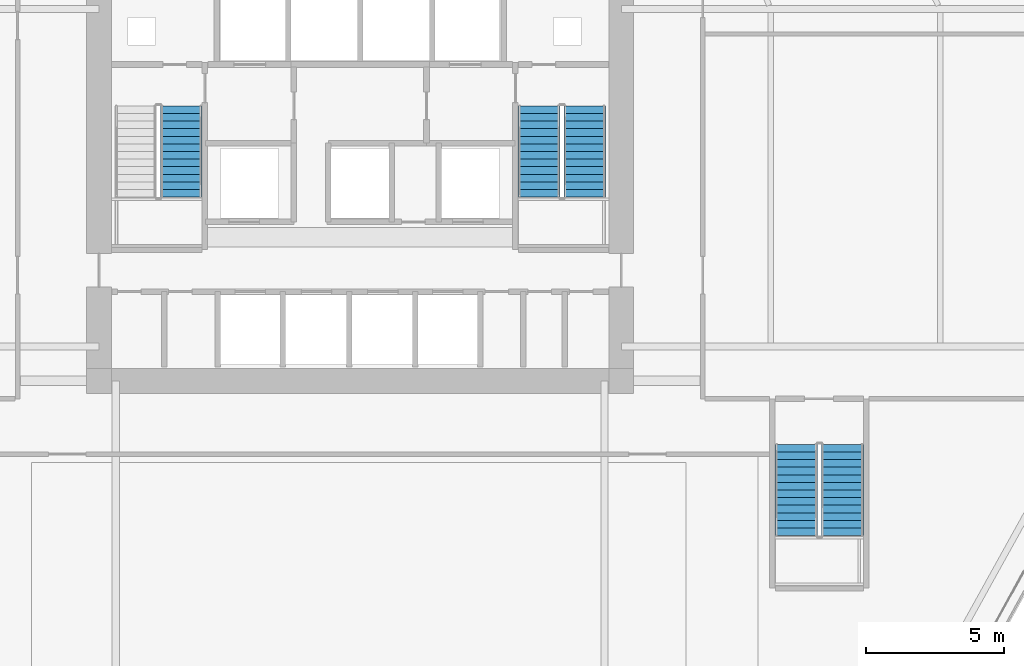
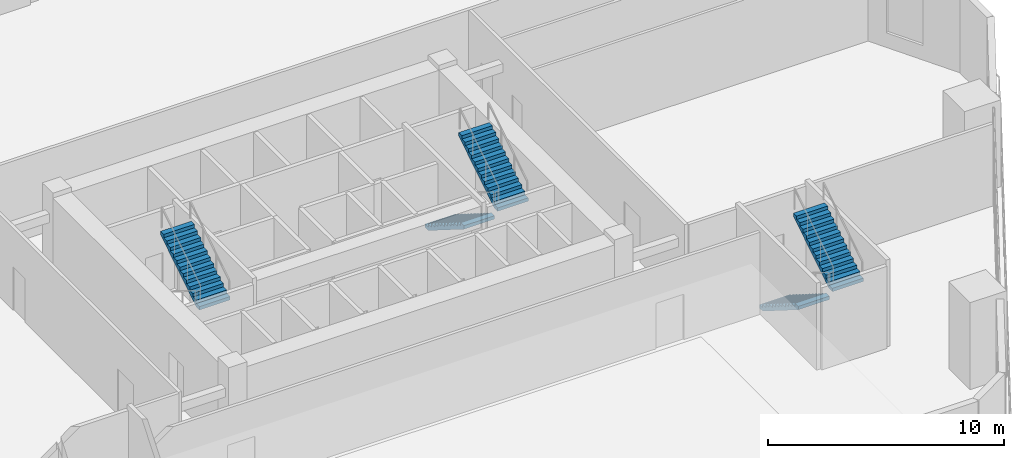
# One storey, part 12 of 18: 5 stair flights, 3 elements without a shape of their own.
"""IFC4 building model written with IfcOpenShell, lengths in metres."""

import ifcopenshell
import ifcopenshell.guid

model = None  # the IFC model being written
_history = None  # IfcOwnerHistory: only IFC2X3 demands one
_inside = {}  # id of a spatial element -> (the spatial element, [elements in it])
_under = {}  # id of a project, library or spatial element -> (it, [spatial elements below it])
_declared = {}  # id of a project -> (the project, [libraries it declares])
_typed = {}  # id of a type object -> (the type object, [elements of that type])
_made_of = {}  # id of a material, layer set ... -> (it, [elements and type objects made of it])


def new_model(schema):
    """Start an empty IFC model of exactly this schema.

    Asked for "IFC4X3", IfcOpenShell would pick the latest addendum, in which some entities
    have other attributes; the version numbers below select the first issue.
    IFC2X3 requires an IfcOwnerHistory on every rooted entity: one is made here for all.
    """
    global model, _history
    if schema == "IFC4X3":
        model = ifcopenshell.file(schema_version=(4, 3, 0, 0))
    else:
        model = ifcopenshell.file(schema=schema)
    _inside.clear()
    _under.clear()
    _declared.clear()
    _typed.clear()
    _made_of.clear()
    _history = None
    if model.schema == "IFC2X3":
        org = make("IfcOrganization", Name="unknown")
        user = make(
            "IfcPersonAndOrganization",
            ThePerson=make("IfcPerson", FamilyName="unknown"),
            TheOrganization=org,
        )
        app = make(
            "IfcApplication",
            ApplicationDeveloper=org,
            Version="unknown",
            ApplicationFullName="unknown",
            ApplicationIdentifier="unknown",
        )
        _history = make(
            "IfcOwnerHistory",
            OwningUser=user,
            OwningApplication=app,
            ChangeAction="ADDED",
            CreationDate=0,
        )
    return model


def make(cls, **values):
    """One entity of the class cls with the attributes given. An attribute that is None is left unset."""
    return model.create_entity(
        cls, **{name: value for name, value in values.items() if value is not None}
    )


def rooted(cls, **values):
    """An entity with a GlobalId (a new one), such as an element, a storey or a relation."""
    return make(cls, GlobalId=ifcopenshell.guid.new(), OwnerHistory=_history, **values)


def si_unit(unit_type, name, prefix=None):
    """IfcSIUnit, for example si_unit("LENGTHUNIT", "METRE", prefix="MILLI")."""
    return make("IfcSIUnit", UnitType=unit_type, Prefix=prefix, Name=name)


def assignment(units):
    """IfcUnitAssignment: the units of a project."""
    return None if units is None else make("IfcUnitAssignment", Units=units)


def point(xyz):
    """IfcCartesianPoint."""
    return None if xyz is None else make("IfcCartesianPoint", Coordinates=xyz)


def direction(xyz):
    """IfcDirection."""
    return None if xyz is None else make("IfcDirection", DirectionRatios=xyz)


def frame(location, z_axis=None, x_axis=None):
    """IfcAxis2Placement3D, a coordinate frame: its origin and axes. An axis left out is left unset."""
    return make(
        "IfcAxis2Placement3D",
        Location=point(location),
        Axis=direction(z_axis),
        RefDirection=direction(x_axis),
    )


def origin():
    """The frame at (0, 0, 0) with its axes left unset."""
    return frame((0.0, 0.0, 0.0))


def place(relative_to, where):
    """IfcLocalPlacement: puts the frame where relative to a parent placement (None: the world)."""
    return make(
        "IfcLocalPlacement", PlacementRelTo=relative_to, RelativePlacement=where
    )


def context(
    kind, dimensions, precision=None, world=None, true_north=None, identifier=None
):
    """IfcGeometricRepresentationContext, for example the 3D "Model" context."""
    return make(
        "IfcGeometricRepresentationContext",
        ContextIdentifier=identifier,
        ContextType=kind,
        CoordinateSpaceDimension=dimensions,
        Precision=precision,
        WorldCoordinateSystem=world,
        TrueNorth=true_north,
    )


def subcontext(parent, identifier, kind, view, scale=None):
    """IfcGeometricRepresentationSubContext, for example "Body" below "Model"."""
    return make(
        "IfcGeometricRepresentationSubContext",
        ContextIdentifier=identifier,
        ContextType=kind,
        ParentContext=parent,
        TargetScale=scale,
        TargetView=view,
    )


def project(units=None, contexts=None):
    """IfcProject with its units and contexts."""
    return rooted(
        "IfcProject",
        Name="project",
        RepresentationContexts=contexts,
        UnitsInContext=assignment(units),
    )


def spatial(cls, under=None, at=None, **own):
    """A site, building, storey or space (cls), placed at a placement, below another one or the project."""
    s = rooted(cls, ObjectPlacement=at, **own)
    if under is not None:
        _under.setdefault(under.id(), (under, []))[1].append(s)
    return s


def polyline(points):
    """IfcPolyline through the points."""
    return make("IfcPolyline", Points=[point(p) for p in points])


def outline(outer, holes=None, kind="AREA"):
    """IfcArbitraryClosedProfileDef: a profile drawn as a closed curve; with holes, ...WithVoids."""
    if holes is None:
        return make("IfcArbitraryClosedProfileDef", ProfileType=kind, OuterCurve=outer)
    return make(
        "IfcArbitraryProfileDefWithVoids",
        ProfileType=kind,
        OuterCurve=outer,
        InnerCurves=holes,
    )


def extrude(swept, where, along, depth):
    """IfcExtrudedAreaSolid: the profile swept, set in the frame where, extruded along a direction by depth."""
    return make(
        "IfcExtrudedAreaSolid",
        SweptArea=swept,
        Position=where,
        ExtrudedDirection=direction(along),
        Depth=depth,
    )


def shape(context_of_items, identifier, shape_type, items):
    """IfcShapeRepresentation: the items that make up one representation, for example the "Body"."""
    return make(
        "IfcShapeRepresentation",
        ContextOfItems=context_of_items,
        RepresentationIdentifier=identifier,
        RepresentationType=shape_type,
        Items=items,
    )


def material(Name=None, Category=None):
    """IfcMaterial."""
    return make("IfcMaterial", Name=Name, Category=Category)


def made_of(thing, what):
    """Note that an element or type object is made of a material, layer set ...; save() writes the relation."""
    if what is not None:
        _made_of.setdefault(what.id(), (what, []))[1].append(thing)
    return thing


def type_object(cls, material=None, **own):
    """A type object (cls), such as IfcWallType, which elements share."""
    return made_of(rooted(cls, **own), material)


def element(
    cls,
    number,
    at=None,
    inside=None,
    cuts=None,
    type_object=None,
    material=None,
    context=None,
    identifier="Body",
    shape_type=None,
    held_by="IfcProductDefinitionShape",
    body=None,
    shapes=None,
    **own,
):
    """One element of the class cls, such as IfcWall. Its Tag is "e" and its number.

    at: its placement. inside: the storey or other place that contains it. cuts: it is an
    opening in that element (IfcRelVoidsElement). A single representation is given by context,
    identifier, shape_type and body (its items); several are given by shapes. held_by: the class
    of the entity that holds the representations. save() writes the other relations.
    """
    e = rooted(cls, Tag="e%d" % number, ObjectPlacement=at, **own)
    if body is not None:
        shapes = [shape(context, identifier, shape_type, body)]
    if shapes is not None:
        e.Representation = make(held_by, Representations=shapes)
    if inside is not None:
        _inside.setdefault(inside.id(), (inside, []))[1].append(e)
    if cuts is not None:
        rooted(
            "IfcRelVoidsElement", RelatingBuildingElement=cuts, RelatedOpeningElement=e
        )
    if type_object is not None:
        _typed.setdefault(type_object.id(), (type_object, []))[1].append(e)
    return made_of(e, material)


def aggregate(whole, parts):
    """IfcRelAggregates: a whole, such as a stair, and the parts it consists of."""
    return rooted("IfcRelAggregates", RelatingObject=whole, RelatedObjects=parts)


def save(model, path):
    """Write the relations noted so far, then the file.

    IfcRelAggregates (storeys below a building ...), IfcRelContainedInSpatialStructure (elements
    in a storey), IfcRelDefinesByType, IfcRelAssociatesMaterial and IfcRelDeclares: one each for
    every whole, place, type object, material and project.
    """
    for whole, parts in _under.values():
        aggregate(whole, parts)
    for where, things in _inside.values():
        rooted(
            "IfcRelContainedInSpatialStructure",
            RelatedElements=things,
            RelatingStructure=where,
        )
    for kind, things in _typed.values():
        rooted("IfcRelDefinesByType", RelatedObjects=things, RelatingType=kind)
    for what, things in _made_of.values():
        rooted("IfcRelAssociatesMaterial", RelatedObjects=things, RelatingMaterial=what)
    for by, libraries in _declared.values():
        rooted("IfcRelDeclares", RelatingContext=by, RelatedDefinitions=libraries)
    model.write(path)


model = new_model("IFC4")

# Units and contexts
model_context = context("Model", 3, precision=1e-05, world=origin(), true_north=direction((0.0, 1.0)))
body_context = subcontext(model_context, "Body", "Model", "MODEL_VIEW")
ifc_project = project(units=[si_unit("LENGTHUNIT", "METRE"), si_unit("AREAUNIT", "SQUARE_METRE"), si_unit("VOLUMEUNIT", "CUBIC_METRE"), si_unit("PLANEANGLEUNIT", "RADIAN"), si_unit("MASSUNIT", "GRAM", prefix="KILO")], contexts=[model_context])

# Site, building, storey
site_placement = place(None, origin())
site = spatial("IfcSite", under=ifc_project, at=site_placement, CompositionType="ELEMENT")
building_placement = place(site_placement, origin())
building = spatial("IfcBuilding", under=site, at=building_placement, Name="Cinnabar Lancet Tower", CompositionType="ELEMENT")
storey_placement = place(building_placement, frame((0.0, 0.0, 10.5)))
storey = spatial("IfcBuildingStorey", under=building, at=storey_placement, Name="L02", CompositionType="ELEMENT", Elevation=10.5)

# Stair, stair flight
ifc_material_1 = material(Name="Concrete C40/50", Category="concrete")
stair_type_1 = type_object("IfcStairType", Name="ST-CORE", PredefinedType="HALF_TURN_STAIR", material=ifc_material_1)
stair_1_placement = place(storey_placement, origin())
stair_1 = element("IfcStair", 1, at=stair_1_placement, inside=storey, type_object=stair_type_1, Name="L02 ST-1", PredefinedType="HALF_TURN_STAIR")
ifc_material_2 = material(Name="Concrete C40/50", Category="concrete")
stair_flight_type_1 = type_object("IfcStairFlightType", Name="FLIGHT-CORE", PredefinedType="STRAIGHT", material=ifc_material_2)
stair_flight_1_placement = place(storey_placement, frame((25.925048828125, 25.10009765625, 2.25), z_axis=(0.0, 0.0, 1.0), x_axis=(0.0, 1.0, 0.0)))
stair_flight_1 = element("IfcStairFlight", 2, at=stair_flight_1_placement, type_object=stair_flight_type_1, Name="ST-1 flight 2", NumberOfRisers=13, NumberOfTreads=12, PredefinedType="STRAIGHT", RiserHeight=0.173076923, TreadLength=0.275, context=body_context, shape_type="SweptSolid", body=[
    extrude(outline(polyline([(0.0, 0.0), (0.0, 0.173095703125), (0.27490234375, 0.173095703125), (0.27490234375, 0.34619140625), (0.550048828125, 0.34619140625), (0.550048828125, 0.519287109375), (0.824951171875, 0.519287109375), (0.824951171875, 0.6923828125), (1.10009765625, 0.6923828125), (1.10009765625, 0.865478515625), (1.375, 0.865478515625), (1.375, 1.03857421875), (1.64990234375, 1.03857421875), (1.64990234375, 1.21142578125), (1.925048828125, 1.21142578125), (1.925048828125, 1.384521484375), (2.199951171875, 1.384521484375), (2.199951171875, 1.5576171875), (2.47509765625, 1.5576171875), (2.47509765625, 1.730712890625), (2.75, 1.730712890625), (2.75, 1.90380859375), (3.02490234375, 1.90380859375), (3.02490234375, 2.076904296875), (3.300048828125, 2.076904296875), (3.300048828125, 2.25), (3.300048828125, 1.89990234375), (0.281494140625, 0.0), (0.0, 0.0)])), frame((0.0, 0.75, 0.0), z_axis=(0.0, -1.0, 0.0), x_axis=(1.0, 0.0, 0.0)), (0.0, 0.0, 1.0), 1.5),
])
aggregate(stair_1, [stair_flight_1])

# Stair, stair flights
stair_2_placement = place(storey_placement, origin())
stair_2 = element("IfcStair", 3, at=stair_2_placement, inside=storey, type_object=stair_type_1, Name="L02 ST-2", PredefinedType="HALF_TURN_STAIR")
stair_flight_2_placement = place(storey_placement, frame((38.875, 28.39990234375, 0.0), z_axis=(0.0, 0.0, 1.0), x_axis=(0.0, -1.0, 0.0)))
stair_flight_2 = element("IfcStairFlight", 4, at=stair_flight_2_placement, type_object=stair_flight_type_1, Name="ST-2 flight 1", NumberOfRisers=13, NumberOfTreads=12, PredefinedType="STRAIGHT", RiserHeight=0.173076923, TreadLength=0.275, context=body_context, shape_type="SweptSolid", body=[
    extrude(outline(polyline([(0.0, 0.0), (0.0, 0.173095703125), (0.27490234375, 0.173095703125), (0.27490234375, 0.34619140625), (0.550048828125, 0.34619140625), (0.550048828125, 0.519287109375), (0.824951171875, 0.519287109375), (0.824951171875, 0.6923828125), (1.10009765625, 0.6923828125), (1.10009765625, 0.865478515625), (1.375, 0.865478515625), (1.375, 1.03857421875), (1.64990234375, 1.03857421875), (1.64990234375, 1.21142578125), (1.925048828125, 1.21142578125), (1.925048828125, 1.384521484375), (2.199951171875, 1.384521484375), (2.199951171875, 1.5576171875), (2.47509765625, 1.5576171875), (2.47509765625, 1.730712890625), (2.75, 1.730712890625), (2.75, 1.90380859375), (3.02490234375, 1.90380859375), (3.02490234375, 2.076904296875), (3.300048828125, 2.076904296875), (3.300048828125, 2.25), (3.300048828125, 1.89990234375), (0.281494140625, 0.0), (0.0, 0.0)])), frame((0.0, 0.75, 0.0), z_axis=(0.0, -1.0, 0.0), x_axis=(1.0, 0.0, 0.0)), (0.0, 0.0, 1.0), 1.5),
])
stair_flight_3_placement = place(storey_placement, frame((40.52490234375, 25.10009765625, 2.25), z_axis=(0.0, 0.0, 1.0), x_axis=(0.0, 1.0, 0.0)))
stair_flight_3 = element("IfcStairFlight", 5, at=stair_flight_3_placement, type_object=stair_flight_type_1, Name="ST-2 flight 2", NumberOfRisers=13, NumberOfTreads=12, PredefinedType="STRAIGHT", RiserHeight=0.173076923, TreadLength=0.275, context=body_context, shape_type="SweptSolid", body=[
    extrude(outline(polyline([(0.0, 0.0), (0.0, 0.173095703125), (0.27490234375, 0.173095703125), (0.27490234375, 0.34619140625), (0.550048828125, 0.34619140625), (0.550048828125, 0.519287109375), (0.824951171875, 0.519287109375), (0.824951171875, 0.6923828125), (1.10009765625, 0.6923828125), (1.10009765625, 0.865478515625), (1.375, 0.865478515625), (1.375, 1.03857421875), (1.64990234375, 1.03857421875), (1.64990234375, 1.21142578125), (1.925048828125, 1.21142578125), (1.925048828125, 1.384521484375), (2.199951171875, 1.384521484375), (2.199951171875, 1.5576171875), (2.47509765625, 1.5576171875), (2.47509765625, 1.730712890625), (2.75, 1.730712890625), (2.75, 1.90380859375), (3.02490234375, 1.90380859375), (3.02490234375, 2.076904296875), (3.300048828125, 2.076904296875), (3.300048828125, 2.25), (3.300048828125, 1.89990234375), (0.281494140625, 0.0), (0.0, 0.0)])), frame((0.0, 0.75, 0.0), z_axis=(0.0, -1.0, 0.0), x_axis=(1.0, 0.0, 0.0)), (0.0, 0.0, 1.0), 1.5),
])
aggregate(stair_2, [stair_flight_2, stair_flight_3])

ifc_material_3 = material(Name="Concrete C40/50", Category="concrete")
stair_type_2 = type_object("IfcStairType", Name="ST-POD", PredefinedType="HALF_TURN_STAIR", material=ifc_material_3)
stair_3_placement = place(storey_placement, origin())
stair_3 = element("IfcStair", 6, at=stair_3_placement, inside=storey, type_object=stair_type_2, Name="L02 ST-4", PredefinedType="HALF_TURN_STAIR")
ifc_material_4 = material(Name="Concrete C40/50", Category="concrete")
stair_flight_type_2 = type_object("IfcStairFlightType", Name="FLIGHT-POD", PredefinedType="STRAIGHT", material=ifc_material_4)
stair_flight_4_placement = place(storey_placement, frame((48.18505859375, 16.14990234375, 0.0), z_axis=(0.0, 0.0, 1.0), x_axis=(0.0, -1.0, 0.0)))
stair_flight_4 = element("IfcStairFlight", 7, at=stair_flight_4_placement, type_object=stair_flight_type_2, Name="ST-4 flight 1", NumberOfRisers=13, NumberOfTreads=12, PredefinedType="STRAIGHT", RiserHeight=0.173076923, TreadLength=0.275, context=body_context, shape_type="SweptSolid", body=[
    extrude(outline(polyline([(0.0, 0.0), (0.0, 0.173095703125), (0.27490234375, 0.173095703125), (0.27490234375, 0.34619140625), (0.550048828125, 0.34619140625), (0.550048828125, 0.519287109375), (0.824951171875, 0.519287109375), (0.824951171875, 0.6923828125), (1.10009765625, 0.6923828125), (1.10009765625, 0.865478515625), (1.375, 0.865478515625), (1.375, 1.03857421875), (1.64990234375, 1.03857421875), (1.64990234375, 1.21142578125), (1.925048828125, 1.21142578125), (1.925048828125, 1.384521484375), (2.199951171875, 1.384521484375), (2.199951171875, 1.5576171875), (2.47509765625, 1.5576171875), (2.47509765625, 1.730712890625), (2.75, 1.730712890625), (2.75, 1.90380859375), (3.02490234375, 1.90380859375), (3.02490234375, 2.076904296875), (3.300048828125, 2.076904296875), (3.300048828125, 2.25), (3.300048828125, 1.89990234375), (0.281494140625, 0.0), (0.0, 0.0)])), frame((0.0, 0.760009765625, 0.0), z_axis=(0.0, -1.0, 0.0), x_axis=(1.0, 0.0, 0.0)), (0.0, 0.0, 1.0), 1.52001953125),
])
stair_flight_5_placement = place(storey_placement, frame((49.85498046875, 12.85009765625, 2.25), z_axis=(0.0, 0.0, 1.0), x_axis=(0.0, 1.0, 0.0)))
stair_flight_5 = element("IfcStairFlight", 8, at=stair_flight_5_placement, type_object=stair_flight_type_2, Name="ST-4 flight 2", NumberOfRisers=13, NumberOfTreads=12, PredefinedType="STRAIGHT", RiserHeight=0.173076923, TreadLength=0.275, context=body_context, shape_type="SweptSolid", body=[
    extrude(outline(polyline([(0.0, 0.0), (0.0, 0.173095703125), (0.27490234375, 0.173095703125), (0.27490234375, 0.34619140625), (0.550048828125, 0.34619140625), (0.550048828125, 0.519287109375), (0.824951171875, 0.519287109375), (0.824951171875, 0.6923828125), (1.10009765625, 0.6923828125), (1.10009765625, 0.865478515625), (1.375, 0.865478515625), (1.375, 1.03857421875), (1.64990234375, 1.03857421875), (1.64990234375, 1.21142578125), (1.925048828125, 1.21142578125), (1.925048828125, 1.384521484375), (2.199951171875, 1.384521484375), (2.199951171875, 1.5576171875), (2.47509765625, 1.5576171875), (2.47509765625, 1.730712890625), (2.75, 1.730712890625), (2.75, 1.90380859375), (3.02490234375, 1.90380859375), (3.02490234375, 2.076904296875), (3.300048828125, 2.076904296875), (3.300048828125, 2.25), (3.300048828125, 1.89990234375), (0.281494140625, 0.0), (0.0, 0.0)])), frame((0.0, 0.760009765625, 0.0), z_axis=(0.0, -1.0, 0.0), x_axis=(1.0, 0.0, 0.0)), (0.0, 0.0, 1.0), 1.52001953125),
])
aggregate(stair_3, [stair_flight_4, stair_flight_5])

save(model, "model.ifc")
